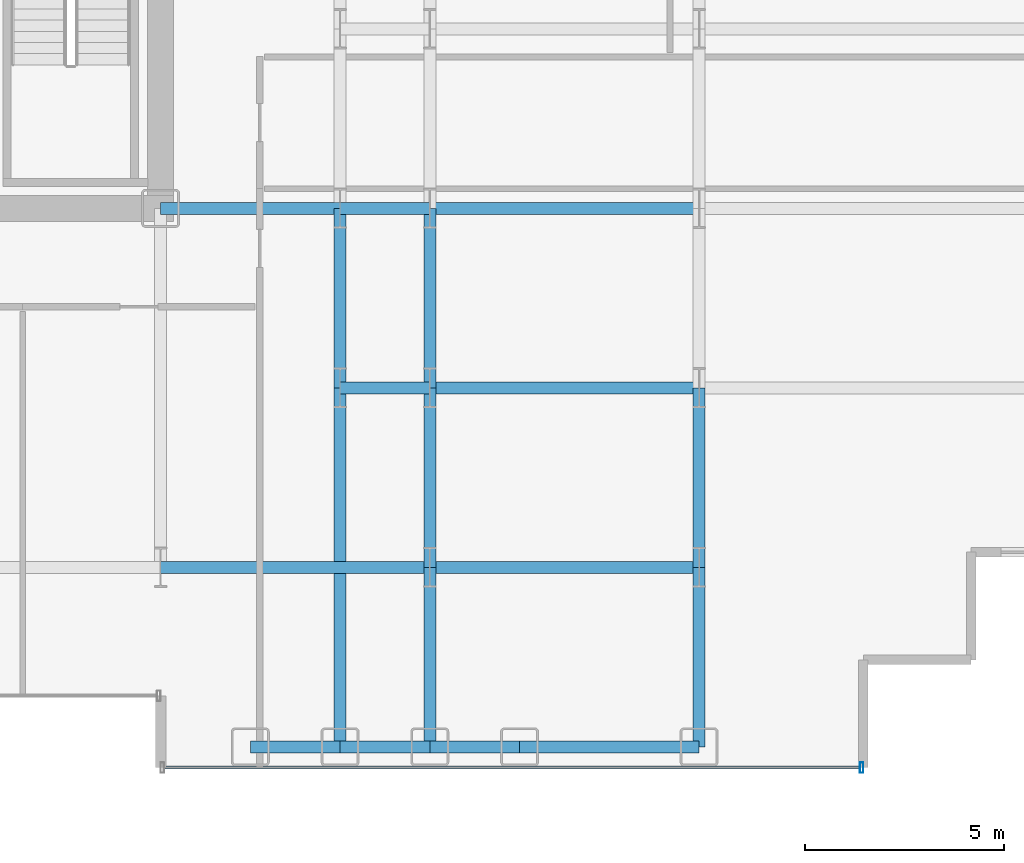
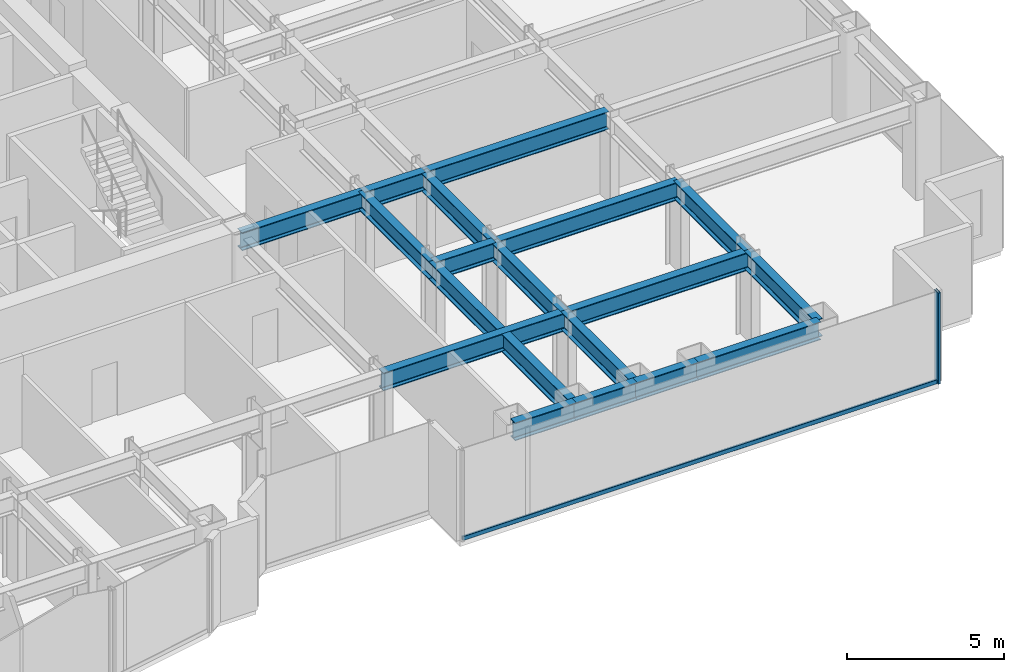
# One storey, part 7 of 26: 18 beams, 2 members, 1 element without a shape of its own.
"""IFC4 building model written with IfcOpenShell, lengths in metres."""

import ifcopenshell
import ifcopenshell.guid

model = None  # the IFC model being written
_history = None  # IfcOwnerHistory: only IFC2X3 demands one
_inside = {}  # id of a spatial element -> (the spatial element, [elements in it])
_under = {}  # id of a project, library or spatial element -> (it, [spatial elements below it])
_declared = {}  # id of a project -> (the project, [libraries it declares])
_typed = {}  # id of a type object -> (the type object, [elements of that type])
_made_of = {}  # id of a material, layer set ... -> (it, [elements and type objects made of it])


def new_model(schema):
    """Start an empty IFC model of exactly this schema.

    Asked for "IFC4X3", IfcOpenShell would pick the latest addendum, in which some entities
    have other attributes; the version numbers below select the first issue.
    IFC2X3 requires an IfcOwnerHistory on every rooted entity: one is made here for all.
    """
    global model, _history
    if schema == "IFC4X3":
        model = ifcopenshell.file(schema_version=(4, 3, 0, 0))
    else:
        model = ifcopenshell.file(schema=schema)
    _inside.clear()
    _under.clear()
    _declared.clear()
    _typed.clear()
    _made_of.clear()
    _history = None
    if model.schema == "IFC2X3":
        org = make("IfcOrganization", Name="unknown")
        user = make(
            "IfcPersonAndOrganization",
            ThePerson=make("IfcPerson", FamilyName="unknown"),
            TheOrganization=org,
        )
        app = make(
            "IfcApplication",
            ApplicationDeveloper=org,
            Version="unknown",
            ApplicationFullName="unknown",
            ApplicationIdentifier="unknown",
        )
        _history = make(
            "IfcOwnerHistory",
            OwningUser=user,
            OwningApplication=app,
            ChangeAction="ADDED",
            CreationDate=0,
        )
    return model


def make(cls, **values):
    """One entity of the class cls with the attributes given. An attribute that is None is left unset."""
    return model.create_entity(
        cls, **{name: value for name, value in values.items() if value is not None}
    )


def rooted(cls, **values):
    """An entity with a GlobalId (a new one), such as an element, a storey or a relation."""
    return make(cls, GlobalId=ifcopenshell.guid.new(), OwnerHistory=_history, **values)


def si_unit(unit_type, name, prefix=None):
    """IfcSIUnit, for example si_unit("LENGTHUNIT", "METRE", prefix="MILLI")."""
    return make("IfcSIUnit", UnitType=unit_type, Prefix=prefix, Name=name)


def assignment(units):
    """IfcUnitAssignment: the units of a project."""
    return None if units is None else make("IfcUnitAssignment", Units=units)


def point(xyz):
    """IfcCartesianPoint."""
    return None if xyz is None else make("IfcCartesianPoint", Coordinates=xyz)


def direction(xyz):
    """IfcDirection."""
    return None if xyz is None else make("IfcDirection", DirectionRatios=xyz)


def frame(location, z_axis=None, x_axis=None):
    """IfcAxis2Placement3D, a coordinate frame: its origin and axes. An axis left out is left unset."""
    return make(
        "IfcAxis2Placement3D",
        Location=point(location),
        Axis=direction(z_axis),
        RefDirection=direction(x_axis),
    )


def frame_2d(location, x_axis=None):
    """IfcAxis2Placement2D, a coordinate frame in the plane: its origin and x axis."""
    return make(
        "IfcAxis2Placement2D", Location=point(location), RefDirection=direction(x_axis)
    )


def origin():
    """The frame at (0, 0, 0) with its axes left unset."""
    return frame((0.0, 0.0, 0.0))


def origin_2d():
    """The frame at (0, 0) in the plane with its x axis left unset."""
    return frame_2d((0.0, 0.0))


def place(relative_to, where):
    """IfcLocalPlacement: puts the frame where relative to a parent placement (None: the world)."""
    return make(
        "IfcLocalPlacement", PlacementRelTo=relative_to, RelativePlacement=where
    )


def context(
    kind, dimensions, precision=None, world=None, true_north=None, identifier=None
):
    """IfcGeometricRepresentationContext, for example the 3D "Model" context."""
    return make(
        "IfcGeometricRepresentationContext",
        ContextIdentifier=identifier,
        ContextType=kind,
        CoordinateSpaceDimension=dimensions,
        Precision=precision,
        WorldCoordinateSystem=world,
        TrueNorth=true_north,
    )


def subcontext(parent, identifier, kind, view, scale=None):
    """IfcGeometricRepresentationSubContext, for example "Body" below "Model"."""
    return make(
        "IfcGeometricRepresentationSubContext",
        ContextIdentifier=identifier,
        ContextType=kind,
        ParentContext=parent,
        TargetScale=scale,
        TargetView=view,
    )


def project(units=None, contexts=None):
    """IfcProject with its units and contexts."""
    return rooted(
        "IfcProject",
        Name="project",
        RepresentationContexts=contexts,
        UnitsInContext=assignment(units),
    )


def spatial(cls, under=None, at=None, **own):
    """A site, building, storey or space (cls), placed at a placement, below another one or the project."""
    s = rooted(cls, ObjectPlacement=at, **own)
    if under is not None:
        _under.setdefault(under.id(), (under, []))[1].append(s)
    return s


def profile(cls, at=None, kind="AREA", **sizes):
    """A parametric profile (cls). Its sizes go by their IFC names, for example OverallWidth=200.0."""
    return make(cls, ProfileType=kind, Position=at, **sizes)


def hollow_rectangle(**sizes):
    """IfcRectangleHollowProfileDef."""
    return profile("IfcRectangleHollowProfileDef", **sizes)


def i_section(**sizes):
    """IfcIShapeProfileDef."""
    return profile("IfcIShapeProfileDef", **sizes)


def extrude(swept, where, along, depth):
    """IfcExtrudedAreaSolid: the profile swept, set in the frame where, extruded along a direction by depth."""
    return make(
        "IfcExtrudedAreaSolid",
        SweptArea=swept,
        Position=where,
        ExtrudedDirection=direction(along),
        Depth=depth,
    )


def shape(context_of_items, identifier, shape_type, items):
    """IfcShapeRepresentation: the items that make up one representation, for example the "Body"."""
    return make(
        "IfcShapeRepresentation",
        ContextOfItems=context_of_items,
        RepresentationIdentifier=identifier,
        RepresentationType=shape_type,
        Items=items,
    )


def source(mapping_origin, context_of_items, identifier, shape_type, items):
    """IfcRepresentationMap: a shape defined once, which mapped items show again and again."""
    return make(
        "IfcRepresentationMap",
        MappingOrigin=mapping_origin,
        MappedRepresentation=shape(context_of_items, identifier, shape_type, items),
    )


def transform(
    local_origin,
    x_axis=None,
    y_axis=None,
    z_axis=None,
    scale=None,
    scale2=None,
    scale3=None,
    uniform=True,
):
    """IfcCartesianTransformationOperator3D, or its non-uniform kind. x_axis, y_axis, z_axis: its Axis1, 2, 3."""
    if uniform:
        return make(
            "IfcCartesianTransformationOperator3D",
            Axis1=direction(x_axis),
            Axis2=direction(y_axis),
            LocalOrigin=point(local_origin),
            Scale=scale,
            Axis3=direction(z_axis),
        )
    return make(
        "IfcCartesianTransformationOperator3DnonUniform",
        Axis1=direction(x_axis),
        Axis2=direction(y_axis),
        LocalOrigin=point(local_origin),
        Scale=scale,
        Axis3=direction(z_axis),
        Scale2=scale2,
        Scale3=scale3,
    )


def mapped(mapping_source, mapping_target):
    """IfcMappedItem: shows the shape of a source again, moved by a transform."""
    return make(
        "IfcMappedItem", MappingSource=mapping_source, MappingTarget=mapping_target
    )


def material(Name=None, Category=None):
    """IfcMaterial."""
    return make("IfcMaterial", Name=Name, Category=Category)


def layer(
    of_material, thickness, ventilated=None, Name=None, Category=None, Priority=None
):
    """IfcMaterialLayer: one layer of a wall or slab, of a material (None: an air gap)."""
    return make(
        "IfcMaterialLayer",
        Material=of_material,
        LayerThickness=thickness,
        IsVentilated=ventilated,
        Name=Name,
        Category=Category,
        Priority=Priority,
    )


def layer_set(layers, Name=None):
    """IfcMaterialLayerSet."""
    return make("IfcMaterialLayerSet", MaterialLayers=layers, LayerSetName=Name)


def material_profile(
    of_material, cross_section, Name=None, Category=None, Priority=None
):
    """IfcMaterialProfile: a cross section and its material."""
    return make(
        "IfcMaterialProfile",
        Name=Name,
        Material=of_material,
        Profile=cross_section,
        Priority=Priority,
        Category=Category,
    )


def profile_set(profiles, Name=None, composite=None):
    """IfcMaterialProfileSet."""
    return make(
        "IfcMaterialProfileSet",
        Name=Name,
        MaterialProfiles=profiles,
        CompositeProfile=composite,
    )


def made_of(thing, what):
    """Note that an element or type object is made of a material, layer set ...; save() writes the relation."""
    if what is not None:
        _made_of.setdefault(what.id(), (what, []))[1].append(thing)
    return thing


def type_object(cls, material=None, **own):
    """A type object (cls), such as IfcWallType, which elements share."""
    return made_of(rooted(cls, **own), material)


def element(
    cls,
    number,
    at=None,
    inside=None,
    cuts=None,
    type_object=None,
    material=None,
    context=None,
    identifier="Body",
    shape_type=None,
    held_by="IfcProductDefinitionShape",
    body=None,
    shapes=None,
    **own,
):
    """One element of the class cls, such as IfcWall. Its Tag is "e" and its number.

    at: its placement. inside: the storey or other place that contains it. cuts: it is an
    opening in that element (IfcRelVoidsElement). A single representation is given by context,
    identifier, shape_type and body (its items); several are given by shapes. held_by: the class
    of the entity that holds the representations. save() writes the other relations.
    """
    e = rooted(cls, Tag="e%d" % number, ObjectPlacement=at, **own)
    if body is not None:
        shapes = [shape(context, identifier, shape_type, body)]
    if shapes is not None:
        e.Representation = make(held_by, Representations=shapes)
    if inside is not None:
        _inside.setdefault(inside.id(), (inside, []))[1].append(e)
    if cuts is not None:
        rooted(
            "IfcRelVoidsElement", RelatingBuildingElement=cuts, RelatedOpeningElement=e
        )
    if type_object is not None:
        _typed.setdefault(type_object.id(), (type_object, []))[1].append(e)
    return made_of(e, material)


def aggregate(whole, parts):
    """IfcRelAggregates: a whole, such as a stair, and the parts it consists of."""
    return rooted("IfcRelAggregates", RelatingObject=whole, RelatedObjects=parts)


def save(model, path):
    """Write the relations noted so far, then the file.

    IfcRelAggregates (storeys below a building ...), IfcRelContainedInSpatialStructure (elements
    in a storey), IfcRelDefinesByType, IfcRelAssociatesMaterial and IfcRelDeclares: one each for
    every whole, place, type object, material and project.
    """
    for whole, parts in _under.values():
        aggregate(whole, parts)
    for where, things in _inside.values():
        rooted(
            "IfcRelContainedInSpatialStructure",
            RelatedElements=things,
            RelatingStructure=where,
        )
    for kind, things in _typed.values():
        rooted("IfcRelDefinesByType", RelatedObjects=things, RelatingType=kind)
    for what, things in _made_of.values():
        rooted("IfcRelAssociatesMaterial", RelatedObjects=things, RelatingMaterial=what)
    for by, libraries in _declared.values():
        rooted("IfcRelDeclares", RelatingContext=by, RelatedDefinitions=libraries)
    model.write(path)


model = new_model("IFC4")

# Units and contexts
model_context = context("Model", 3, precision=1e-05, world=origin(), true_north=direction((0.0, 1.0)))
body_context = subcontext(model_context, "Body", "Model", "MODEL_VIEW")
ifc_project = project(units=[si_unit("LENGTHUNIT", "METRE"), si_unit("AREAUNIT", "SQUARE_METRE"), si_unit("VOLUMEUNIT", "CUBIC_METRE"), si_unit("PLANEANGLEUNIT", "RADIAN"), si_unit("MASSUNIT", "GRAM", prefix="KILO")], contexts=[model_context])

# Site, building, storey
site_placement = place(None, origin())
site = spatial("IfcSite", under=ifc_project, at=site_placement, CompositionType="ELEMENT")
building_placement = place(site_placement, origin())
building = spatial("IfcBuilding", under=site, at=building_placement, Name="Nefas-Gora Pilgrimage Tower", CompositionType="ELEMENT")
storey_placement = place(building_placement, frame((0.0, 0.0, 59.60009765625)))
storey = spatial("IfcBuildingStorey", under=building, at=storey_placement, Name="L13", CompositionType="ELEMENT", Elevation=59.60009765625)

# Beams
ifc_material_1 = material(Name="Steel S355", Category="steel")
ifc_material_profile_1 = material_profile(ifc_material_1, i_section(OverallWidth=0.300048828125, OverallDepth=0.699951171875, WebThickness=0.01708984375, FlangeThickness=0.031982421875, FilletRadius=0.027099609375, at=origin_2d()), Name="HEB 700")
ifc_profile_set_1 = profile_set([ifc_material_profile_1], Name="Steel S355")
beam_type_1 = type_object("IfcBeamType", Name="BM-SPN-HEB600", PredefinedType="SPANDREL", material=ifc_profile_set_1)
shared_shape_1 = source(origin(), body_context, "Body", "SweptSolid", [
    extrude(i_section(OverallWidth=0.300048828125, OverallDepth=0.699951171875, WebThickness=0.01708984375, FlangeThickness=0.031982421875, FilletRadius=0.027099609375, at=origin_2d()), origin(), (0.0, 0.0, 1.0), 4.5),
])
beam_1_placement = place(storey_placement, frame((20.25, -22.5, 3.199951171875), z_axis=(1.0, 0.0, 0.0), x_axis=(0.0, 1.0, 0.0)))
element("IfcBeam", 1, at=beam_1_placement, inside=storey, type_object=beam_type_1, Name="L13 SP-01 beam", PredefinedType="SPANDREL", context=body_context, shape_type="MappedRepresentation", body=[
    mapped(shared_shape_1, transform((0.0, 0.0, 0.0), x_axis=(1.0, 0.0, 0.0), y_axis=(0.0, 1.0, 0.0), z_axis=(0.0, 0.0, 1.0), scale=1.0)),
])
ifc_material_profile_2 = material_profile(ifc_material_1, i_section(OverallWidth=0.300048828125, OverallDepth=0.699951171875, WebThickness=0.01708984375, FlangeThickness=0.031982421875, FilletRadius=0.027099609375, at=origin_2d()), Name="HEB 700")
ifc_profile_set_2 = profile_set([ifc_material_profile_2], Name="Steel S355")
beam_type_2 = type_object("IfcBeamType", Name="BM-GIR-HEB700", PredefinedType="BEAM", material=ifc_profile_set_2)
shared_shape_2 = source(origin(), body_context, "Body", "SweptSolid", [
    extrude(i_section(OverallWidth=0.300048828125, OverallDepth=0.699951171875, WebThickness=0.01708984375, FlangeThickness=0.031982421875, FilletRadius=0.027099609375, at=origin_2d()), origin(), (0.0, 0.0, 1.0), 9.0),
])
beam_2_placement = place(storey_placement, frame((15.75, -22.5, 3.199951171875), z_axis=(0.0, 1.0, 0.0), x_axis=(-1.0, 0.0, 0.0)))
element("IfcBeam", 2, at=beam_2_placement, inside=storey, type_object=beam_type_2, Name="L13 G-02 beam", PredefinedType="BEAM", context=body_context, shape_type="MappedRepresentation", body=[
    mapped(shared_shape_2, transform((0.0, 0.0, 0.0), x_axis=(1.0, 0.0, 0.0), y_axis=(0.0, 1.0, 0.0), z_axis=(0.0, 0.0, 1.0), scale=1.0)),
])
shared_shape_3 = source(origin(), body_context, "Body", "SweptSolid", [
    extrude(i_section(OverallWidth=0.300048828125, OverallDepth=0.699951171875, WebThickness=0.01708984375, FlangeThickness=0.031982421875, FilletRadius=0.027099609375, at=origin_2d()), origin(), (0.0, 0.0, 1.0), 4.5),
])
for number, where, z_axis, x_axis, name in (
    (3, (11.25, -9.0, 3.199951171875), (1.0, 0.0, 0.0), (0.0, 1.0, 0.0), "L13 G-02 beam"),
    (4, (15.75, -13.5, 3.199951171875), (0.0, 1.0, 0.0), (-1.0, 0.0, 0.0), "L13 G-02 beam"),
    (5, (18.0, -22.5, 3.199951171875), (0.0, 1.0, 0.0), (-1.0, 0.0, 0.0), "L13 G-02 beam"),
    (6, (18.0, -18.0, 3.199951171875), (0.0, 1.0, 0.0), (-1.0, 0.0, 0.0), "L13 G-02 beam"),
    (7, (18.0, -13.5, 3.199951171875), (0.0, 1.0, 0.0), (-1.0, 0.0, 0.0), "L13 G-02 beam"),
    (8, (24.75, -22.5, 3.199951171875), (0.0, 1.0, 0.0), (-1.0, 0.0, 0.0), "L13 G-02 beam"),
    (9, (24.75, -18.0, 3.199951171875), (0.0, 1.0, 0.0), (-1.0, 0.0, 0.0), "L13 G-02 beam"),
):
    element("IfcBeam", number, at=place(storey_placement, frame(where, z_axis=z_axis, x_axis=x_axis)), inside=storey, type_object=beam_type_2, Name=name, PredefinedType="BEAM", context=body_context, shape_type="MappedRepresentation", body=[
        mapped(shared_shape_3, transform((0.0, 0.0, 0.0), x_axis=(1.0, 0.0, 0.0), y_axis=(0.0, 1.0, 0.0), z_axis=(0.0, 0.0, 1.0), scale=1.0)),
    ])
shared_shape_4 = source(origin(), body_context, "Body", "SweptSolid", [
    extrude(i_section(OverallWidth=0.300048828125, OverallDepth=0.699951171875, WebThickness=0.01708984375, FlangeThickness=0.031982421875, FilletRadius=0.027099609375, at=origin_2d()), origin(), (0.0, 0.0, 1.0), 6.75),
])
for number, where, z_axis, x_axis, name in (
    (10, (11.25, -18.0, 3.199951171875), (1.0, 0.0, 0.0), (0.0, 1.0, 0.0), "L13 G-02 beam"),
    (11, (18.0, -18.0, 3.199951171875), (1.0, 0.0, 0.0), (0.0, 1.0, 0.0), "L13 G-02 beam"),
    (12, (18.0, -13.5, 3.199951171875), (1.0, 0.0, 0.0), (0.0, 1.0, 0.0), "L13 G-02 beam"),
    (13, (18.0, -9.0, 3.199951171875), (1.0, 0.0, 0.0), (0.0, 1.0, 0.0), "L13 G-02 beam"),
):
    element("IfcBeam", number, at=place(storey_placement, frame(where, z_axis=z_axis, x_axis=x_axis)), inside=storey, type_object=beam_type_2, Name=name, PredefinedType="BEAM", context=body_context, shape_type="MappedRepresentation", body=[
        mapped(shared_shape_4, transform((0.0, 0.0, 0.0), x_axis=(1.0, 0.0, 0.0), y_axis=(0.0, 1.0, 0.0), z_axis=(0.0, 0.0, 1.0), scale=1.0)),
    ])
shared_shape_5 = source(origin(), body_context, "Body", "SweptSolid", [
    extrude(i_section(OverallWidth=0.300048828125, OverallDepth=0.699951171875, WebThickness=0.01708984375, FlangeThickness=0.031982421875, FilletRadius=0.027099609375, at=origin_2d()), origin(), (0.0, 0.0, 1.0), 2.25),
])
for number, where, z_axis, x_axis, name in (
    (14, (13.5, -22.5, 3.199951171875), (1.0, 0.0, 0.0), (0.0, 1.0, 0.0), "L13 SP-01 beam"),
    (15, (15.75, -22.5, 3.199951171875), (1.0, 0.0, 0.0), (0.0, 1.0, 0.0), "L13 SP-01 beam"),
    (16, (18.0, -22.5, 3.199951171875), (1.0, 0.0, 0.0), (0.0, 1.0, 0.0), "L13 SP-01 beam"),
):
    element("IfcBeam", number, at=place(storey_placement, frame(where, z_axis=z_axis, x_axis=x_axis)), inside=storey, type_object=beam_type_1, Name=name, PredefinedType="SPANDREL", context=body_context, shape_type="MappedRepresentation", body=[
        mapped(shared_shape_5, transform((0.0, 0.0, 0.0), x_axis=(1.0, 0.0, 0.0), y_axis=(0.0, 1.0, 0.0), z_axis=(0.0, 0.0, 1.0), scale=1.0)),
    ])
shared_shape_6 = source(origin(), body_context, "Body", "SweptSolid", [
    extrude(i_section(OverallWidth=0.300048828125, OverallDepth=0.699951171875, WebThickness=0.01708984375, FlangeThickness=0.031982421875, FilletRadius=0.027099609375, at=origin_2d()), origin(), (0.0, 0.0, 1.0), 2.25),
])
for number, where, z_axis, x_axis, name in (
    (17, (15.75, -13.5, 3.199951171875), (1.0, 0.0, 0.0), (0.0, 1.0, 0.0), "L13 G-02 beam"),
    (18, (15.75, -9.0, 3.199951171875), (1.0, 0.0, 0.0), (0.0, 1.0, 0.0), "L13 G-02 beam"),
):
    element("IfcBeam", number, at=place(storey_placement, frame(where, z_axis=z_axis, x_axis=x_axis)), inside=storey, type_object=beam_type_2, Name=name, PredefinedType="BEAM", context=body_context, shape_type="MappedRepresentation", body=[
        mapped(shared_shape_6, transform((0.0, 0.0, 0.0), x_axis=(1.0, 0.0, 0.0), y_axis=(0.0, 1.0, 0.0), z_axis=(0.0, 0.0, 1.0), scale=1.0)),
    ])

# Curtain wall, members
ifc_material_2 = material(Name="Dark ceramic-fritted solar-control aluminium-glass curtain wall", Category="aluminium")
ifc_layer = layer(ifc_material_2, 0.219970703125)
ifc_layer_set = layer_set([ifc_layer], Name="Dark ceramic-fritted solar-control aluminium-glass curtain wall")
curtain_wall_type = type_object("IfcCurtainWallType", Name="CW-SYS-2", PredefinedType="NOTDEFINED", material=ifc_layer_set)
curtain_wall_placement = place(storey_placement, origin())
curtain_wall = element("IfcCurtainWall", 19, at=curtain_wall_placement, inside=storey, type_object=curtain_wall_type, Name="L13 Unitised Curtain Wall CW2", PredefinedType="NOTDEFINED")
ifc_material_3 = material(Name="Anodised architectural aluminium", Category="aluminium")
ifc_material_profile_3 = material_profile(ifc_material_3, hollow_rectangle(XDim=0.080078125, YDim=0.159912109375, WallThickness=0.00439453125, InnerFilletRadius=0.00439453125, OuterFilletRadius=0.009033203125, at=origin_2d()), Name="ALU TRANSOM 80x160")
ifc_profile_set_3 = profile_set([ifc_material_profile_3], Name="Anodised architectural aluminium")
member_type_1 = type_object("IfcMemberType", Name="CWM-TRN-2", PredefinedType="USERDEFINED", material=ifc_profile_set_3)
shared_shape_7 = source(origin(), body_context, "Body", "SweptSolid", [
    extrude(hollow_rectangle(XDim=0.080078125, YDim=0.159912109375, WallThickness=0.00439453125, InnerFilletRadius=0.00439453125, OuterFilletRadius=0.009033203125, at=origin_2d()), origin(), (0.0, 0.0, 1.0), 17.43994140625),
])
member_1_placement = place(storey_placement, frame((11.340087890625, -23.02001953125, 0.0498046875), z_axis=(1.0, 0.0, 0.0), x_axis=(0.0, 1.0, 0.0)))
member_1 = element("IfcMember", 20, at=member_1_placement, type_object=member_type_1, Name="CW2 Spandrel Transom", ObjectType="TRANSOM", PredefinedType="USERDEFINED", context=body_context, shape_type="MappedRepresentation", body=[
    mapped(shared_shape_7, transform((0.0, 0.0, 0.0), x_axis=(1.0, 0.0, 0.0), y_axis=(0.0, 1.0, 0.0), z_axis=(0.0, 0.0, 1.0), scale=1.0)),
])
ifc_material_profile_4 = material_profile(ifc_material_3, hollow_rectangle(XDim=0.090087890625, YDim=0.260009765625, WallThickness=0.006103515625, InnerFilletRadius=0.006103515625, OuterFilletRadius=0.011962890625, at=origin_2d()), Name="ALU MULLION 90x260")
ifc_profile_set_4 = profile_set([ifc_material_profile_4], Name="Anodised architectural aluminium")
member_type_2 = type_object("IfcMemberType", Name="CWM-MUL-2", PredefinedType="MULLION", material=ifc_profile_set_4)
shared_shape_8 = source(origin(), body_context, "Body", "SweptSolid", [
    extrude(hollow_rectangle(XDim=0.090087890625, YDim=0.260009765625, WallThickness=0.006103515625, InnerFilletRadius=0.006103515625, OuterFilletRadius=0.011962890625, at=origin_2d()), origin(), (0.0, 0.0, 1.0), 3.5498046875),
])
member_2_placement = place(storey_placement, frame((28.824951171875, -23.02001953125, 0.0), z_axis=(0.0, 0.0, 1.0), x_axis=(1.0, 0.0, 0.0)))
member_2 = element("IfcMember", 21, at=member_2_placement, type_object=member_type_2, Name="CW2 Mullion 2", PredefinedType="MULLION", context=body_context, shape_type="MappedRepresentation", body=[
    mapped(shared_shape_8, transform((0.0, 0.0, 0.0), x_axis=(1.0, 0.0, 0.0), y_axis=(0.0, 1.0, 0.0), z_axis=(0.0, 0.0, 1.0), scale=1.0)),
])
aggregate(curtain_wall, [member_2, member_1])

save(model, "model.ifc")
